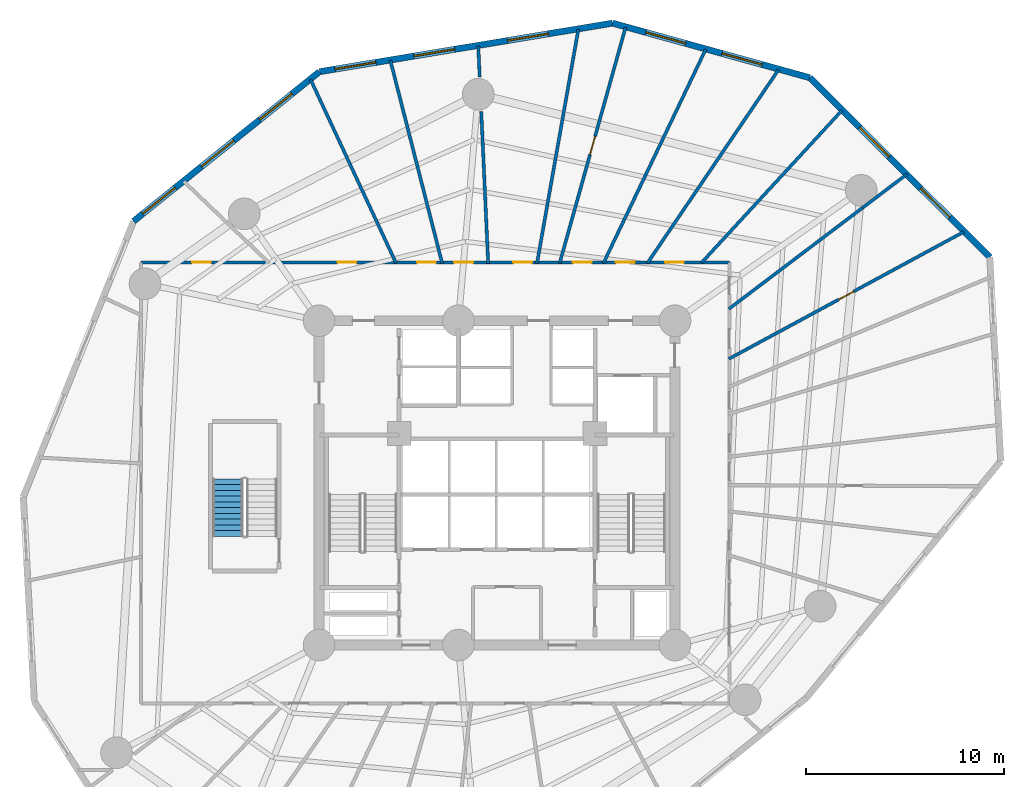
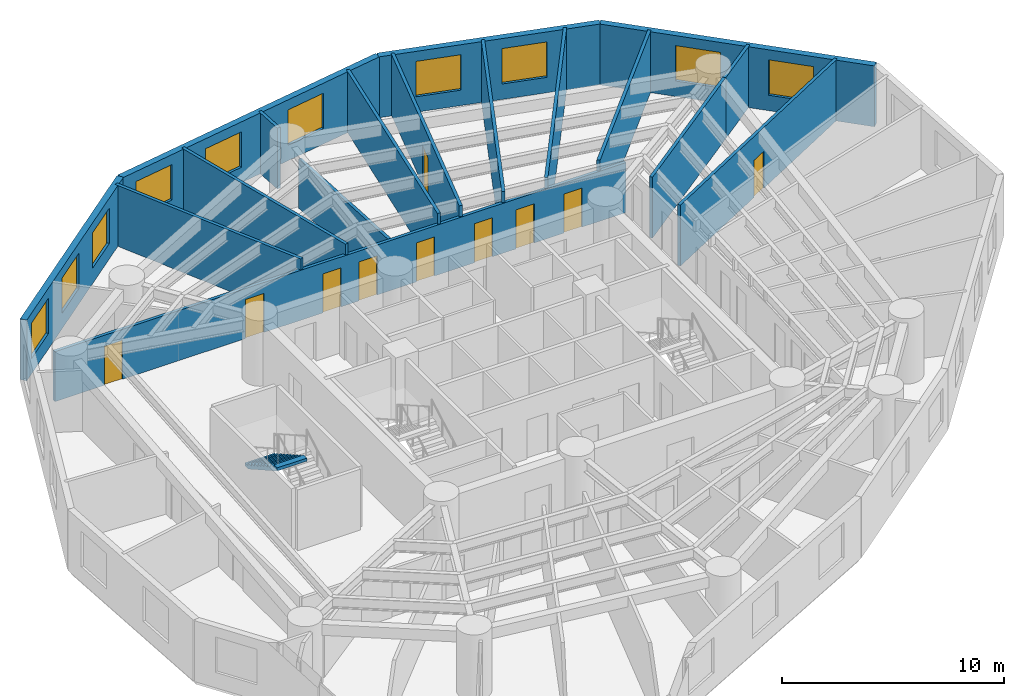
# One storey, part 6 of 8: 17 walls, 10 doors, 10 windows, 1 stair flight, 20 openings, 1 element without a shape of its own.
"""IFC4 building model written with IfcOpenShell, lengths in metres."""

from ifc_helpers import new_model, si_unit, direction, frame, frame_2d, origin, origin_with_axes, place, context, subcontext, project, spatial, polyline, rectangle, outline, extrude, source, transform, mapped, material, layer, layer_set, type_object, element, fill, aggregate, save


model = new_model("IFC4")

# Units and contexts
model_context = context("Model", 3, precision=1e-05, world=origin(), true_north=direction((0.0, 1.0)))
body_context = subcontext(model_context, "Body", "Model", "MODEL_VIEW")
ifc_project = project(units=[si_unit("LENGTHUNIT", "METRE"), si_unit("AREAUNIT", "SQUARE_METRE"), si_unit("VOLUMEUNIT", "CUBIC_METRE"), si_unit("PLANEANGLEUNIT", "RADIAN"), si_unit("MASSUNIT", "GRAM", prefix="KILO")], contexts=[model_context])

# Site, building, storey
site_placement = place(None, origin())
site = spatial("IfcSite", under=ifc_project, at=site_placement, CompositionType="ELEMENT")
building_placement = place(site_placement, origin())
building = spatial("IfcBuilding", under=site, at=building_placement, Name="Karkom Vertical University and Central Library", CompositionType="ELEMENT")
storey_placement = place(building_placement, frame((0.0, 0.0, 55.300048828125)))
storey = spatial("IfcBuildingStorey", under=building, at=storey_placement, Name="L14", CompositionType="ELEMENT", Elevation=55.300048828125)

# Wall, openings, windows
ifc_material_1 = material(Name="Brick-faced precast concrete C45/55", Category="masonry")
ifc_layer_1 = layer(ifc_material_1, 0.320068359375)
ifc_layer_set_1 = layer_set([ifc_layer_1], Name="Brick-faced precast concrete C45/55")
wall_type_1 = type_object("IfcWallType", Name="ENV-WL-BRK-320", PredefinedType="SOLIDWALL", material=ifc_layer_set_1)
wall_1_placement = place(storey_placement, frame((19.52001953125, 47.295654296875, 0.0), z_axis=(0.0, 0.0, 1.0), x_axis=(-0.779334397084, -0.626608248846, 0.0)))
wall_1 = element("IfcWall", 1, at=wall_1_placement, inside=storey, type_object=wall_type_1, Name="Level 14 Brick-Faced Precast Facade Wall 01", PredefinedType="SOLIDWALL", context=body_context, shape_type="SweptSolid", body=[
    extrude(rectangle(XDim=12.064208984375, YDim=0.320068359375, at=frame_2d((6.0322265625, 0.0))), origin(), (0.0, 0.0, 1.0), 3.349853515625),
])
opening_1_placement = place(wall_1_placement, frame((1.76806640625, 0.0, 0.85009765625)))
opening_1 = element("IfcOpeningElement", 2, at=opening_1_placement, cuts=wall_1, Name="Opening WN-03", PredefinedType="OPENING", context=body_context, shape_type="SweptSolid", body=[
    extrude(rectangle(XDim=2.10009765625, YDim=1.949951171875, at=frame_2d((1.050048828125, 0.97509765625))), frame((0.0, 0.169921875, 0.0), z_axis=(0.0, -1.0, 0.0), x_axis=(1.0, 0.0, 0.0)), (0.0, 0.0, 1.0), 0.340087890625),
])
opening_2_placement = place(wall_1_placement, frame((5.553955078125, 0.0, 0.85009765625)))
opening_2 = element("IfcOpeningElement", 3, at=opening_2_placement, cuts=wall_1, Name="Opening WN-03", PredefinedType="OPENING", context=body_context, shape_type="SweptSolid", body=[
    extrude(rectangle(XDim=2.10009765625, YDim=1.949951171875, at=frame_2d((1.050048828125, 0.97509765625))), frame((0.0, 0.169921875, 0.0), z_axis=(0.0, -1.0, 0.0), x_axis=(1.0, 0.0, 0.0)), (0.0, 0.0, 1.0), 0.340087890625),
])
opening_3_placement = place(wall_1_placement, frame((9.360595703125, 0.0, 0.85009765625)))
opening_3 = element("IfcOpeningElement", 4, at=opening_3_placement, cuts=wall_1, Name="Opening WN-03", PredefinedType="OPENING", context=body_context, shape_type="SweptSolid", body=[
    extrude(rectangle(XDim=2.10009765625, YDim=1.949951171875, at=frame_2d((1.050048828125, 0.97509765625))), frame((0.0, 0.169921875, 0.0), z_axis=(0.0, -1.0, 0.0), x_axis=(1.0, 0.0, 0.0)), (0.0, 0.0, 1.0), 0.340087890625),
])
ifc_material_2 = material(Name="Aluminium thermal-break frame with solar-control IGU", Category="aluminium")
window_type = type_object("IfcWindowType", Name="ENV-WIN-WN-03", PartitioningType="SINGLE_PANEL", PredefinedType="WINDOW", material=ifc_material_2)
shared_shape_1 = source(origin_with_axes(), body_context, "Body", "SweptSolid", [
    extrude(rectangle(XDim=2.10009765625, YDim=1.949951171875, at=frame_2d((1.050048828125, 0.97509765625))), frame((0.0, 0.030029296875, 0.0), z_axis=(0.0, -1.0, 0.0), x_axis=(1.0, 0.0, 0.0)), (0.0, 0.0, 1.0), 0.06005859375),
])
window_1_placement = place(opening_1_placement, origin())
window_1 = element("IfcWindow", 5, at=window_1_placement, inside=storey, type_object=window_type, Name="Level 14 Punched Window 1.1", OverallHeight=1.949951171875, OverallWidth=2.10009765625, PartitioningType="SINGLE_PANEL", PredefinedType="WINDOW", context=body_context, shape_type="MappedRepresentation", body=[
    mapped(shared_shape_1, transform((0.0, 0.0, 0.0), scale=1.0)),
])
fill(opening_1, window_1)
window_2_placement = place(opening_2_placement, origin())
window_2 = element("IfcWindow", 6, at=window_2_placement, inside=storey, type_object=window_type, Name="Level 14 Punched Window 1.2", OverallHeight=1.949951171875, OverallWidth=2.10009765625, PartitioningType="SINGLE_PANEL", PredefinedType="WINDOW", context=body_context, shape_type="MappedRepresentation", body=[
    mapped(shared_shape_1, transform((0.0, 0.0, 0.0), scale=1.0)),
])
fill(opening_2, window_2)
window_3_placement = place(opening_3_placement, origin())
window_3 = element("IfcWindow", 7, at=window_3_placement, inside=storey, type_object=window_type, Name="Level 14 Punched Window 1.3", OverallHeight=1.949951171875, OverallWidth=2.10009765625, PartitioningType="SINGLE_PANEL", PredefinedType="WINDOW", context=body_context, shape_type="MappedRepresentation", body=[
    mapped(shared_shape_1, transform((0.0, 0.0, 0.0), scale=1.0)),
])
fill(opening_3, window_3)

wall_2_placement = place(storey_placement, frame((53.42822265625, 37.913818359375, 0.0), z_axis=(0.0, 0.0, 1.0), x_axis=(-0.708311107064, 0.70590040063, 0.0)))
wall_2 = element("IfcWall", 8, at=wall_2_placement, inside=storey, type_object=wall_type_1, Name="Level 14 Brick-Faced Precast Facade Wall 10", PredefinedType="SOLIDWALL", context=body_context, shape_type="SweptSolid", body=[
    extrude(rectangle(XDim=12.86181640625, YDim=0.320068359375, at=frame_2d((6.430908203125, 0.0))), origin(), (0.0, 0.0, 1.0), 3.349853515625),
])
opening_4_placement = place(wall_2_placement, frame((2.848388671875, 0.0, 0.85009765625)))
opening_4 = element("IfcOpeningElement", 9, at=opening_4_placement, cuts=wall_2, Name="Opening WN-03", PredefinedType="OPENING", context=body_context, shape_type="SweptSolid", body=[
    extrude(rectangle(XDim=2.10009765625, YDim=1.949951171875, at=frame_2d((1.050048828125, 0.97509765625))), frame((0.0, 0.169921875, 0.0), z_axis=(0.0, -1.0, 0.0), x_axis=(1.0, 0.0, 0.0)), (0.0, 0.0, 1.0), 0.340087890625),
])
opening_5_placement = place(wall_2_placement, frame((7.193359375, 0.0, 0.85009765625)))
opening_5 = element("IfcOpeningElement", 10, at=opening_5_placement, cuts=wall_2, Name="Opening WN-03", PredefinedType="OPENING", context=body_context, shape_type="SweptSolid", body=[
    extrude(rectangle(XDim=2.10009765625, YDim=1.949951171875, at=frame_2d((1.050048828125, 0.97509765625))), frame((0.0, 0.169921875, 0.0), z_axis=(0.0, -1.0, 0.0), x_axis=(1.0, 0.0, 0.0)), (0.0, 0.0, 1.0), 0.340087890625),
])
window_4_placement = place(opening_4_placement, origin())
window_4 = element("IfcWindow", 11, at=window_4_placement, inside=storey, type_object=window_type, Name="Level 14 Punched Window 10.1", OverallHeight=1.949951171875, OverallWidth=2.10009765625, PartitioningType="SINGLE_PANEL", PredefinedType="WINDOW", context=body_context, shape_type="MappedRepresentation", body=[
    mapped(shared_shape_1, transform((0.0, 0.0, 0.0), scale=1.0)),
])
fill(opening_4, window_4)
window_5_placement = place(opening_5_placement, origin())
window_5 = element("IfcWindow", 12, at=window_5_placement, inside=storey, type_object=window_type, Name="Level 14 Punched Window 10.2", OverallHeight=1.949951171875, OverallWidth=2.10009765625, PartitioningType="SINGLE_PANEL", PredefinedType="WINDOW", context=body_context, shape_type="MappedRepresentation", body=[
    mapped(shared_shape_1, transform((0.0, 0.0, 0.0), scale=1.0)),
])
fill(opening_5, window_5)

wall_3_placement = place(storey_placement, frame((44.318115234375, 46.992919921875, 0.0), z_axis=(0.0, 0.0, 1.0), x_axis=(-0.96379280772, 0.266652252546, 0.0)))
wall_3 = element("IfcWall", 13, at=wall_3_placement, inside=storey, type_object=wall_type_1, Name="Level 14 Brick-Faced Precast Facade Wall 11", PredefinedType="SOLIDWALL", context=body_context, shape_type="SweptSolid", body=[
    extrude(rectangle(XDim=10.3505859375, YDim=0.320068359375, at=frame_2d((5.17529296875, 0.0))), origin(), (0.0, 0.0, 1.0), 3.349853515625),
])
opening_6_placement = place(wall_3_placement, frame((2.5009765625, 0.0, 0.85009765625)))
opening_6 = element("IfcOpeningElement", 14, at=opening_6_placement, cuts=wall_3, Name="Opening WN-03", PredefinedType="OPENING", context=body_context, shape_type="SweptSolid", body=[
    extrude(rectangle(XDim=2.10009765625, YDim=1.949951171875, at=frame_2d((1.050048828125, 0.97509765625))), frame((0.0, 0.169921875, 0.0), z_axis=(0.0, -1.0, 0.0), x_axis=(1.0, 0.0, 0.0)), (0.0, 0.0, 1.0), 0.340087890625),
])
opening_7_placement = place(wall_3_placement, frame((6.5087890625, 0.0, 0.85009765625)))
opening_7 = element("IfcOpeningElement", 15, at=opening_7_placement, cuts=wall_3, Name="Opening WN-03", PredefinedType="OPENING", context=body_context, shape_type="SweptSolid", body=[
    extrude(rectangle(XDim=2.10009765625, YDim=1.949951171875, at=frame_2d((1.050048828125, 0.97509765625))), frame((0.0, 0.169921875, 0.0), z_axis=(0.0, -1.0, 0.0), x_axis=(1.0, 0.0, 0.0)), (0.0, 0.0, 1.0), 0.340087890625),
])
window_6_placement = place(opening_6_placement, origin())
window_6 = element("IfcWindow", 16, at=window_6_placement, inside=storey, type_object=window_type, Name="Level 14 Punched Window 11.1", OverallHeight=1.949951171875, OverallWidth=2.10009765625, PartitioningType="SINGLE_PANEL", PredefinedType="WINDOW", context=body_context, shape_type="MappedRepresentation", body=[
    mapped(shared_shape_1, transform((0.0, 0.0, 0.0), scale=1.0)),
])
fill(opening_6, window_6)
window_7_placement = place(opening_7_placement, origin())
window_7 = element("IfcWindow", 17, at=window_7_placement, inside=storey, type_object=window_type, Name="Level 14 Punched Window 11.2", OverallHeight=1.949951171875, OverallWidth=2.10009765625, PartitioningType="SINGLE_PANEL", PredefinedType="WINDOW", context=body_context, shape_type="MappedRepresentation", body=[
    mapped(shared_shape_1, transform((0.0, 0.0, 0.0), scale=1.0)),
])
fill(opening_7, window_7)

wall_4_placement = place(storey_placement, frame((34.34228515625, 49.7529296875, 0.0), z_axis=(0.0, 0.0, 1.0), x_axis=(-0.986534972803, -0.163550443096, 0.0)))
wall_4 = element("IfcWall", 18, at=wall_4_placement, inside=storey, type_object=wall_type_1, Name="Level 14 Brick-Faced Precast Facade Wall 12", PredefinedType="SOLIDWALL", context=body_context, shape_type="SweptSolid", body=[
    extrude(rectangle(XDim=15.024658203125, YDim=0.320068359375, at=frame_2d((7.51220703125, 0.0))), origin(), (0.0, 0.0, 1.0), 3.349853515625),
])
opening_8_placement = place(wall_4_placement, frame((3.27978515625, 0.0, 0.85009765625)))
opening_8 = element("IfcOpeningElement", 19, at=opening_8_placement, cuts=wall_4, Name="Opening WN-03", PredefinedType="OPENING", context=body_context, shape_type="SweptSolid", body=[
    extrude(rectangle(XDim=2.10009765625, YDim=1.949951171875, at=frame_2d((1.050048828125, 0.97509765625))), frame((0.0, 0.169921875, 0.0), z_axis=(0.0, -1.0, 0.0), x_axis=(1.0, 0.0, 0.0)), (0.0, 0.0, 1.0), 0.340087890625),
])
opening_9_placement = place(wall_4_placement, frame((8.09033203125, 0.0, 0.85009765625)))
opening_9 = element("IfcOpeningElement", 20, at=opening_9_placement, cuts=wall_4, Name="Opening WN-03", PredefinedType="OPENING", context=body_context, shape_type="SweptSolid", body=[
    extrude(rectangle(XDim=2.10009765625, YDim=1.949951171875, at=frame_2d((1.050048828125, 0.97509765625))), frame((0.0, 0.169921875, 0.0), z_axis=(0.0, -1.0, 0.0), x_axis=(1.0, 0.0, 0.0)), (0.0, 0.0, 1.0), 0.340087890625),
])
opening_10_placement = place(wall_4_placement, frame((12.126953125, 0.0, 0.85009765625)))
opening_10 = element("IfcOpeningElement", 21, at=opening_10_placement, cuts=wall_4, Name="Opening WN-03", PredefinedType="OPENING", context=body_context, shape_type="SweptSolid", body=[
    extrude(rectangle(XDim=2.10009765625, YDim=1.949951171875, at=frame_2d((1.050048828125, 0.97509765625))), frame((0.0, 0.169921875, 0.0), z_axis=(0.0, -1.0, 0.0), x_axis=(1.0, 0.0, 0.0)), (0.0, 0.0, 1.0), 0.340087890625),
])
window_8_placement = place(opening_8_placement, origin())
window_8 = element("IfcWindow", 22, at=window_8_placement, inside=storey, type_object=window_type, Name="Level 14 Punched Window 12.1", OverallHeight=1.949951171875, OverallWidth=2.10009765625, PartitioningType="SINGLE_PANEL", PredefinedType="WINDOW", context=body_context, shape_type="MappedRepresentation", body=[
    mapped(shared_shape_1, transform((0.0, 0.0, 0.0), scale=1.0)),
])
fill(opening_8, window_8)
window_9_placement = place(opening_9_placement, origin())
window_9 = element("IfcWindow", 23, at=window_9_placement, inside=storey, type_object=window_type, Name="Level 14 Punched Window 12.2", OverallHeight=1.949951171875, OverallWidth=2.10009765625, PartitioningType="SINGLE_PANEL", PredefinedType="WINDOW", context=body_context, shape_type="MappedRepresentation", body=[
    mapped(shared_shape_1, transform((0.0, 0.0, 0.0), scale=1.0)),
])
fill(opening_9, window_9)
window_10_placement = place(opening_10_placement, origin())
window_10 = element("IfcWindow", 24, at=window_10_placement, inside=storey, type_object=window_type, Name="Level 14 Punched Window 12.3", OverallHeight=1.949951171875, OverallWidth=2.10009765625, PartitioningType="SINGLE_PANEL", PredefinedType="WINDOW", context=body_context, shape_type="MappedRepresentation", body=[
    mapped(shared_shape_1, transform((0.0, 0.0, 0.0), scale=1.0)),
])
fill(opening_10, window_10)

# Wall, openings, doors
ifc_material_3 = material(Name="Insulated metal-stud drywall 160mm", Category="gypsum")
ifc_layer_2 = layer(ifc_material_3, 0.159912109375)
ifc_layer_set_2 = layer_set([ifc_layer_2], Name="Insulated metal-stud drywall 160mm")
wall_type_2 = type_object("IfcWallType", Name="INT-WL-COR-160", PredefinedType="PARTITIONING", material=ifc_layer_set_2)
wall_5_placement = place(storey_placement, frame((10.5, 37.64990234375, 0.0), z_axis=(0.0, 0.0, 1.0), x_axis=(1.0, 0.0, 0.0)))
wall_5 = element("IfcWall", 25, at=wall_5_placement, inside=storey, type_object=wall_type_2, Name="Level 14 Interior Partition Wall L14-CORW-CW-003", PredefinedType="PARTITIONING", context=body_context, shape_type="SweptSolid", body=[
    extrude(rectangle(XDim=29.75, YDim=0.159912109375, at=frame_2d((14.875, 0.0))), origin(), (0.0, 0.0, 1.0), 2.75),
])
opening_11_placement = place(wall_5_placement, frame((26.501708984375, 0.0, 0.0)))
opening_11 = element("IfcOpeningElement", 26, at=opening_11_placement, cuts=wall_5, Name="Opening D-RM1", PredefinedType="OPENING", context=body_context, shape_type="SweptSolid", body=[
    extrude(rectangle(XDim=0.949951171875, YDim=2.14990234375, at=frame_2d((0.47509765625, 1.074951171875))), frame((0.0, 0.08984375, 0.0), z_axis=(0.0, -1.0, 0.0), x_axis=(1.0, 0.0, 0.0)), (0.0, 0.0, 1.0), 0.179931640625),
])
opening_12_placement = place(wall_5_placement, frame((24.01416015625, 0.0, 0.0)))
opening_12 = element("IfcOpeningElement", 27, at=opening_12_placement, cuts=wall_5, Name="Opening D-RM1", PredefinedType="OPENING", context=body_context, shape_type="SweptSolid", body=[
    extrude(rectangle(XDim=0.949951171875, YDim=2.14990234375, at=frame_2d((0.47509765625, 1.074951171875))), frame((0.0, 0.08984375, 0.0), z_axis=(0.0, -1.0, 0.0), x_axis=(1.0, 0.0, 0.0)), (0.0, 0.0, 1.0), 0.179931640625),
])
opening_13_placement = place(wall_5_placement, frame((21.83740234375, 0.0, 0.0)))
opening_13 = element("IfcOpeningElement", 28, at=opening_13_placement, cuts=wall_5, Name="Opening D-RM1", PredefinedType="OPENING", context=body_context, shape_type="SweptSolid", body=[
    extrude(rectangle(XDim=0.949951171875, YDim=2.14990234375, at=frame_2d((0.47509765625, 1.074951171875))), frame((0.0, 0.08984375, 0.0), z_axis=(0.0, -1.0, 0.0), x_axis=(1.0, 0.0, 0.0)), (0.0, 0.0, 1.0), 0.179931640625),
])
opening_14_placement = place(wall_5_placement, frame((18.822509765625, 0.0, 0.0)))
opening_14 = element("IfcOpeningElement", 29, at=opening_14_placement, cuts=wall_5, Name="Opening D-RM1", PredefinedType="OPENING", context=body_context, shape_type="SweptSolid", body=[
    extrude(rectangle(XDim=0.949951171875, YDim=2.14990234375, at=frame_2d((0.47509765625, 1.074951171875))), frame((0.0, 0.08984375, 0.0), z_axis=(0.0, -1.0, 0.0), x_axis=(1.0, 0.0, 0.0)), (0.0, 0.0, 1.0), 0.179931640625),
])
opening_15_placement = place(wall_5_placement, frame((15.83642578125, 0.0, 0.0)))
opening_15 = element("IfcOpeningElement", 30, at=opening_15_placement, cuts=wall_5, Name="Opening D-RM1", PredefinedType="OPENING", context=body_context, shape_type="SweptSolid", body=[
    extrude(rectangle(XDim=0.949951171875, YDim=2.14990234375, at=frame_2d((0.47509765625, 1.074951171875))), frame((0.0, 0.08984375, 0.0), z_axis=(0.0, -1.0, 0.0), x_axis=(1.0, 0.0, 0.0)), (0.0, 0.0, 1.0), 0.179931640625),
])
opening_16_placement = place(wall_5_placement, frame((13.9599609375, 0.0, 0.0)))
opening_16 = element("IfcOpeningElement", 31, at=opening_16_placement, cuts=wall_5, Name="Opening D-RM1", PredefinedType="OPENING", context=body_context, shape_type="SweptSolid", body=[
    extrude(rectangle(XDim=0.949951171875, YDim=2.14990234375, at=frame_2d((0.47509765625, 1.074951171875))), frame((0.0, 0.08984375, 0.0), z_axis=(0.0, -1.0, 0.0), x_axis=(1.0, 0.0, 0.0)), (0.0, 0.0, 1.0), 0.179931640625),
])
opening_17_placement = place(wall_5_placement, frame((9.9375, 0.0, 0.0)))
opening_17 = element("IfcOpeningElement", 32, at=opening_17_placement, cuts=wall_5, Name="Opening D-RM1", PredefinedType="OPENING", context=body_context, shape_type="SweptSolid", body=[
    extrude(rectangle(XDim=0.949951171875, YDim=2.14990234375, at=frame_2d((0.47509765625, 1.074951171875))), frame((0.0, 0.08984375, 0.0), z_axis=(0.0, -1.0, 0.0), x_axis=(1.0, 0.0, 0.0)), (0.0, 0.0, 1.0), 0.179931640625),
])
opening_18_placement = place(wall_5_placement, frame((2.5771484375, 0.0, 0.0)))
opening_18 = element("IfcOpeningElement", 33, at=opening_18_placement, cuts=wall_5, Name="Opening D-RM1", PredefinedType="OPENING", context=body_context, shape_type="SweptSolid", body=[
    extrude(rectangle(XDim=0.949951171875, YDim=2.14990234375, at=frame_2d((0.47509765625, 1.074951171875))), frame((0.0, 0.08984375, 0.0), z_axis=(0.0, -1.0, 0.0), x_axis=(1.0, 0.0, 0.0)), (0.0, 0.0, 1.0), 0.179931640625),
])
ifc_material_4 = material(Name="Solid-core oak veneer door", Category="wood")
door_type_1 = type_object("IfcDoorType", Name="INT-DR-RM1", OperationType="NOTDEFINED", PredefinedType="DOOR", material=ifc_material_4)
shared_shape_2 = source(origin_with_axes(), body_context, "Body", "SweptSolid", [
    extrude(rectangle(XDim=0.949951171875, YDim=2.14990234375, at=frame_2d((0.47509765625, 1.074951171875))), frame((0.0, 0.02490234375, 0.0), z_axis=(0.0, -1.0, 0.0), x_axis=(1.0, 0.0, 0.0)), (0.0, 0.0, 1.0), 0.050048828125),
])
door_1_placement = place(opening_11_placement, origin())
door_1 = element("IfcDoor", 34, at=door_1_placement, inside=storey, type_object=door_type_1, Name="Level 14 Room Entry Door 190", OperationType="SINGLE_SWING_LEFT", OverallHeight=2.14990234375, OverallWidth=0.949951171875, PredefinedType="DOOR", context=body_context, shape_type="MappedRepresentation", body=[
    mapped(shared_shape_2, transform((0.0, 0.0, 0.0), scale=1.0)),
])
fill(opening_11, door_1)
door_2_placement = place(opening_12_placement, origin())
door_2 = element("IfcDoor", 35, at=door_2_placement, inside=storey, type_object=door_type_1, Name="Level 14 Room Entry Door 200", OperationType="SINGLE_SWING_RIGHT", OverallHeight=2.14990234375, OverallWidth=0.949951171875, PredefinedType="DOOR", context=body_context, shape_type="MappedRepresentation", body=[
    mapped(shared_shape_2, transform((0.0, 0.0, 0.0), scale=1.0)),
])
fill(opening_12, door_2)
door_3_placement = place(opening_13_placement, origin())
door_3 = element("IfcDoor", 36, at=door_3_placement, inside=storey, type_object=door_type_1, Name="Level 14 Room Entry Door 210", OperationType="SINGLE_SWING_LEFT", OverallHeight=2.14990234375, OverallWidth=0.949951171875, PredefinedType="DOOR", context=body_context, shape_type="MappedRepresentation", body=[
    mapped(shared_shape_2, transform((0.0, 0.0, 0.0), scale=1.0)),
])
fill(opening_13, door_3)
door_4_placement = place(opening_14_placement, origin())
door_4 = element("IfcDoor", 37, at=door_4_placement, inside=storey, type_object=door_type_1, Name="Level 14 Room Entry Door 230", OperationType="SINGLE_SWING_RIGHT", OverallHeight=2.14990234375, OverallWidth=0.949951171875, PredefinedType="DOOR", context=body_context, shape_type="MappedRepresentation", body=[
    mapped(shared_shape_2, transform((0.0, 0.0, 0.0), scale=1.0)),
])
fill(opening_14, door_4)
door_5_placement = place(opening_15_placement, origin())
door_5 = element("IfcDoor", 38, at=door_5_placement, inside=storey, type_object=door_type_1, Name="Level 14 Room Entry Door 240", OperationType="SINGLE_SWING_LEFT", OverallHeight=2.14990234375, OverallWidth=0.949951171875, PredefinedType="DOOR", context=body_context, shape_type="MappedRepresentation", body=[
    mapped(shared_shape_2, transform((0.0, 0.0, 0.0), scale=1.0)),
])
fill(opening_15, door_5)
door_6_placement = place(opening_16_placement, origin())
door_6 = element("IfcDoor", 39, at=door_6_placement, inside=storey, type_object=door_type_1, Name="Level 14 Room Entry Door 250", OperationType="SINGLE_SWING_RIGHT", OverallHeight=2.14990234375, OverallWidth=0.949951171875, PredefinedType="DOOR", context=body_context, shape_type="MappedRepresentation", body=[
    mapped(shared_shape_2, transform((0.0, 0.0, 0.0), scale=1.0)),
])
fill(opening_16, door_6)
door_7_placement = place(opening_17_placement, origin())
door_7 = element("IfcDoor", 40, at=door_7_placement, inside=storey, type_object=door_type_1, Name="Level 14 Room Entry Door 260", OperationType="SINGLE_SWING_LEFT", OverallHeight=2.14990234375, OverallWidth=0.949951171875, PredefinedType="DOOR", context=body_context, shape_type="MappedRepresentation", body=[
    mapped(shared_shape_2, transform((0.0, 0.0, 0.0), scale=1.0)),
])
fill(opening_17, door_7)
door_8_placement = place(opening_18_placement, origin())
door_8 = element("IfcDoor", 41, at=door_8_placement, inside=storey, type_object=door_type_1, Name="Level 14 Room Entry Door 270", OperationType="SINGLE_SWING_RIGHT", OverallHeight=2.14990234375, OverallWidth=0.949951171875, PredefinedType="DOOR", context=body_context, shape_type="MappedRepresentation", body=[
    mapped(shared_shape_2, transform((0.0, 0.0, 0.0), scale=1.0)),
])
fill(opening_18, door_8)

# Wall, opening, door
wall_6_placement = place(storey_placement, frame((40.2236328125, 32.77001953125, 0.0), z_axis=(0.0, 0.0, 1.0), x_axis=(0.879664206946, 0.47559529331, 0.0)))
wall_6 = element("IfcWall", 42, at=wall_6_placement, inside=storey, type_object=wall_type_2, Name="Level 14 Interior Partition Wall L14-PW-021", PredefinedType="PARTITIONING", context=body_context, shape_type="SweptSolid", body=[
    extrude(rectangle(XDim=13.50634765625, YDim=0.159912109375, at=frame_2d((6.753173828125, 0.0))), origin(), (0.0, 0.0, 1.0), 3.349853515625),
])
opening_19_placement = place(wall_6_placement, frame((6.3232421875, 0.0, 0.0)))
opening_19 = element("IfcOpeningElement", 43, at=opening_19_placement, cuts=wall_6, Name="Opening FD-BTH2", PredefinedType="OPENING", context=body_context, shape_type="SweptSolid", body=[
    extrude(rectangle(XDim=0.860107421875, YDim=2.0400390625, at=frame_2d((0.43017578125, 1.02001953125))), frame((0.0, 0.08984375, 0.0), z_axis=(0.0, -1.0, 0.0), x_axis=(1.0, 0.0, 0.0)), (0.0, 0.0, 1.0), 0.179931640625),
])
ifc_material_5 = material(Name="Fire-rated moisture-resistant oak door", Category="wood")
door_type_2 = type_object("IfcDoorType", Name="INT-DR-FBTH2", OperationType="NOTDEFINED", PredefinedType="DOOR", material=ifc_material_5)
shared_shape_3 = source(origin_with_axes(), body_context, "Body", "SweptSolid", [
    extrude(rectangle(XDim=0.860107421875, YDim=2.0400390625, at=frame_2d((0.43017578125, 1.02001953125))), frame((0.0, 0.02490234375, 0.0), z_axis=(0.0, -1.0, 0.0), x_axis=(1.0, 0.0, 0.0)), (0.0, 0.0, 1.0), 0.050048828125),
])
door_9_placement = place(opening_19_placement, origin())
door_9 = element("IfcDoor", 44, at=door_9_placement, inside=storey, type_object=door_type_2, Name="Level 14 Campus Student Health Counseling Clinic Entry Door", OperationType="SINGLE_SWING_LEFT", OverallHeight=2.0400390625, OverallWidth=0.860107421875, PredefinedType="DOOR", context=body_context, shape_type="MappedRepresentation", body=[
    mapped(shared_shape_3, transform((0.0, 0.0, 0.0), scale=1.0)),
])
fill(opening_19, door_9)

wall_7_placement = place(storey_placement, frame((31.671142578125, 37.62109375, 0.0), z_axis=(0.0, 0.0, 1.0), x_axis=(0.269226126179, 0.96307699224, 0.0)))
wall_7 = element("IfcWall", 45, at=wall_7_placement, inside=storey, type_object=wall_type_2, Name="Level 14 Interior Partition Wall L14-PW-027", PredefinedType="PARTITIONING", context=body_context, shape_type="SweptSolid", body=[
    extrude(rectangle(XDim=12.3798828125, YDim=0.159912109375, at=frame_2d((6.18994140625, 0.0))), origin(), (0.0, 0.0, 1.0), 3.349853515625),
])
opening_20_placement = place(wall_7_placement, frame((5.697509765625, 0.0, 0.0)))
opening_20 = element("IfcOpeningElement", 46, at=opening_20_placement, cuts=wall_7, Name="Opening D-RM1", PredefinedType="OPENING", context=body_context, shape_type="SweptSolid", body=[
    extrude(rectangle(XDim=0.949951171875, YDim=2.14990234375, at=frame_2d((0.47509765625, 1.074951171875))), frame((0.0, 0.08984375, 0.0), z_axis=(0.0, -1.0, 0.0), x_axis=(1.0, 0.0, 0.0)), (0.0, 0.0, 1.0), 0.179931640625),
])
door_10_placement = place(opening_20_placement, origin())
door_10 = element("IfcDoor", 47, at=door_10_placement, inside=storey, type_object=door_type_1, Name="Level 14 Room Entry Door 220", OperationType="SINGLE_SWING_RIGHT", OverallHeight=2.14990234375, OverallWidth=0.949951171875, PredefinedType="DOOR", context=body_context, shape_type="MappedRepresentation", body=[
    mapped(shared_shape_2, transform((0.0, 0.0, 0.0), scale=1.0)),
])
fill(opening_20, door_10)

# Walls
wall_8_placement = place(storey_placement, frame((30.5234375, 37.605712890625, 0.0), z_axis=(0.0, 0.0, 1.0), x_axis=(0.174016002938, 0.984742824661, 0.0)))
element("IfcWall", 48, at=wall_8_placement, inside=storey, type_object=wall_type_2, Name="Level 14 Interior Partition Wall L14-PW-028", PredefinedType="PARTITIONING", context=body_context, shape_type="SweptSolid", body=[
    extrude(rectangle(XDim=12.01513671875, YDim=0.159912109375, at=frame_2d((6.007568359375, 0.0))), origin(), (0.0, 0.0, 1.0), 3.349853515625),
])
wall_9_placement = place(storey_placement, frame((33.887451171875, 37.622802734375, 0.0), z_axis=(0.0, 0.0, 1.0), x_axis=(0.431532706121, 0.90209729162, 0.0)))
element("IfcWall", 49, at=wall_9_placement, inside=storey, type_object=wall_type_2, Name="Level 14 Interior Partition Wall L14-PW-026", PredefinedType="PARTITIONING", context=body_context, shape_type="SweptSolid", body=[
    extrude(rectangle(XDim=11.971923828125, YDim=0.159912109375, at=frame_2d((5.98583984375, 0.0))), origin(), (0.0, 0.0, 1.0), 3.349853515625),
])
wall_10_placement = place(storey_placement, frame((36.105224609375, 37.61279296875, 0.0), z_axis=(0.0, 0.0, 1.0), x_axis=(0.561087811849, 0.827756285023, 0.0)))
element("IfcWall", 50, at=wall_10_placement, inside=storey, type_object=wall_type_2, Name="Level 14 Interior Partition Wall L14-PW-025", PredefinedType="PARTITIONING", context=body_context, shape_type="SweptSolid", body=[
    extrude(rectangle(XDim=11.823974609375, YDim=0.159912109375, at=frame_2d((5.912109375, 0.0))), origin(), (0.0, 0.0, 1.0), 3.349853515625),
])
wall_11_placement = place(storey_placement, frame((25.7265625, 37.6064453125, 0.0), z_axis=(0.0, 0.0, 1.0), x_axis=(-0.247377718141, 0.968919121789, 0.0)))
element("IfcWall", 51, at=wall_11_placement, inside=storey, type_object=wall_type_2, Name="Level 14 Interior Partition Wall L14-PW-031", PredefinedType="PARTITIONING", context=body_context, shape_type="SweptSolid", body=[
    extrude(rectangle(XDim=10.587646484375, YDim=0.159912109375, at=frame_2d((5.2939453125, 0.0))), origin(), (0.0, 0.0, 1.0), 3.349853515625),
])
wall_12_placement = place(storey_placement, frame((38.837890625, 37.6279296875, 0.0), z_axis=(0.0, 0.0, 1.0), x_axis=(0.677727677692, 0.735312991107, 0.0)))
element("IfcWall", 52, at=wall_12_placement, inside=storey, type_object=wall_type_2, Name="Level 14 Interior Partition Wall L14-PW-024", PredefinedType="PARTITIONING", context=body_context, shape_type="SweptSolid", body=[
    extrude(rectangle(XDim=10.484619140625, YDim=0.159912109375, at=frame_2d((5.2421875, 0.0))), origin(), (0.0, 0.0, 1.0), 3.349853515625),
])
wall_13_placement = place(storey_placement, frame((23.3896484375, 37.622802734375, 0.0), z_axis=(0.0, 0.0, 1.0), x_axis=(-0.421939651392, 0.906623919044, 0.0)))
element("IfcWall", 53, at=wall_13_placement, inside=storey, type_object=wall_type_2, Name="Level 14 Interior Partition Wall L14-PW-032", PredefinedType="PARTITIONING", context=body_context, shape_type="SweptSolid", body=[
    extrude(rectangle(XDim=10.2333984375, YDim=0.159912109375, at=frame_2d((5.11669921875, 0.0))), origin(), (0.0, 0.0, 1.0), 3.349853515625),
])
wall_14_placement = place(storey_placement, frame((40.22607421875, 35.297607421875, 0.0), z_axis=(0.0, 0.0, 1.0), x_axis=(0.797440445862, 0.603397659346, 0.0)))
element("IfcWall", 54, at=wall_14_placement, inside=storey, type_object=wall_type_2, Name="Level 14 Interior Partition Wall L14-PW-022", PredefinedType="PARTITIONING", context=body_context, shape_type="SweptSolid", body=[
    extrude(rectangle(XDim=8.482666015625, YDim=0.159912109375, at=frame_2d((4.2412109375, 0.0))), origin(), (0.0, 0.0, 1.0), 3.349853515625),
])
wall_15_placement = place(storey_placement, frame((28.0537109375, 37.60498046875, 0.0), z_axis=(0.0, 0.0, 1.0), x_axis=(-0.045560532903, 0.998961579763, 0.0)))
element("IfcWall", 55, at=wall_15_placement, inside=storey, type_object=wall_type_2, Name="Level 14 Interior Partition Wall L14-PW-029", PredefinedType="PARTITIONING", context=body_context, shape_type="SweptSolid", body=[
    extrude(rectangle(XDim=7.678955078125, YDim=0.159912109375, at=frame_2d((3.83935546875, 0.0))), origin(), (0.0, 0.0, 1.0), 2.699951171875),
])
wall_16_placement = place(storey_placement, frame((46.994384765625, 40.4189453125, 0.0), z_axis=(0.0, 0.0, 1.0), x_axis=(0.797425610969, 0.603417264396, 0.0)))
element("IfcWall", 56, at=wall_16_placement, inside=storey, type_object=wall_type_2, Name="Level 14 Interior Partition Wall L14-PW-023", PredefinedType="PARTITIONING", context=body_context, shape_type="SweptSolid", body=[
    extrude(rectangle(XDim=2.8076171875, YDim=0.159912109375, at=frame_2d((1.40380859375, 0.0))), origin(), (0.0, 0.0, 1.0), 3.349853515625),
])
wall_17_placement = place(storey_placement, frame((27.62353515625, 47.035888671875, 0.0), z_axis=(0.0, 0.0, 1.0), x_axis=(-0.045640834064, 0.998957914162, 0.0)))
element("IfcWall", 57, at=wall_17_placement, inside=storey, type_object=wall_type_2, Name="Level 14 Interior Partition Wall L14-PW-030", PredefinedType="PARTITIONING", context=body_context, shape_type="SweptSolid", body=[
    extrude(rectangle(XDim=1.5673828125, YDim=0.159912109375, at=frame_2d((0.78369140625, 0.0))), origin(), (0.0, 0.0, 1.0), 3.349853515625),
])

# Stair, stair flight
ifc_material_6 = material(Name="Concrete C45/55", Category="concrete")
stair_type = type_object("IfcStairType", Name="INT-STR-ST-SEC", PredefinedType="HALF_TURN_STAIR", material=ifc_material_6)
stair_placement = place(storey_placement, origin())
stair = element("IfcStair", 58, at=stair_placement, inside=storey, type_object=stair_type, Name="Level 14 Academic Zone Protected Exit Stair ST-3", PredefinedType="HALF_TURN_STAIR")
stair_flight_type = type_object("IfcStairFlightType", Name="INT-SFL-ST-SEC", PredefinedType="STRAIGHT", material=ifc_material_6)
stair_flight_placement = place(storey_placement, frame((14.89501953125, 26.699951171875, 1.800048828125), z_axis=(0.0, 0.0, 1.0), x_axis=(0.0, -1.0, 0.0)))
stair_flight = element("IfcStairFlight", 59, at=stair_flight_placement, type_object=stair_flight_type, Name="ST-3 flight 2", NumberOfRisers=11, NumberOfTreads=10, PredefinedType="STRAIGHT", RiserHeight=0.163636364, TreadLength=0.29, context=body_context, shape_type="SweptSolid", body=[
    extrude(outline(polyline([(0.0, 0.0), (0.0, 0.16357421875), (0.2900390625, 0.16357421875), (0.2900390625, 0.327392578125), (0.580078125, 0.327392578125), (0.580078125, 0.490966796875), (0.8701171875, 0.490966796875), (0.8701171875, 0.654541015625), (1.159912109375, 0.654541015625), (1.159912109375, 0.818115234375), (1.449951171875, 0.818115234375), (1.449951171875, 0.98193359375), (1.739990234375, 0.98193359375), (1.739990234375, 1.1455078125), (2.030029296875, 1.1455078125), (2.030029296875, 1.30908203125), (2.320068359375, 1.30908203125), (2.320068359375, 1.47265625), (2.610107421875, 1.47265625), (2.610107421875, 1.636474609375), (2.89990234375, 1.636474609375), (2.89990234375, 1.800048828125), (2.89990234375, 1.46435546875), (0.304931640625, 0.0), (0.0, 0.0)])), frame((0.0, 0.77490234375, 0.0), z_axis=(0.0, -1.0, 0.0), x_axis=(1.0, 0.0, 0.0)), (0.0, 0.0, 1.0), 1.550048828125),
])
aggregate(stair, [stair_flight])

save(model, "model.ifc")
